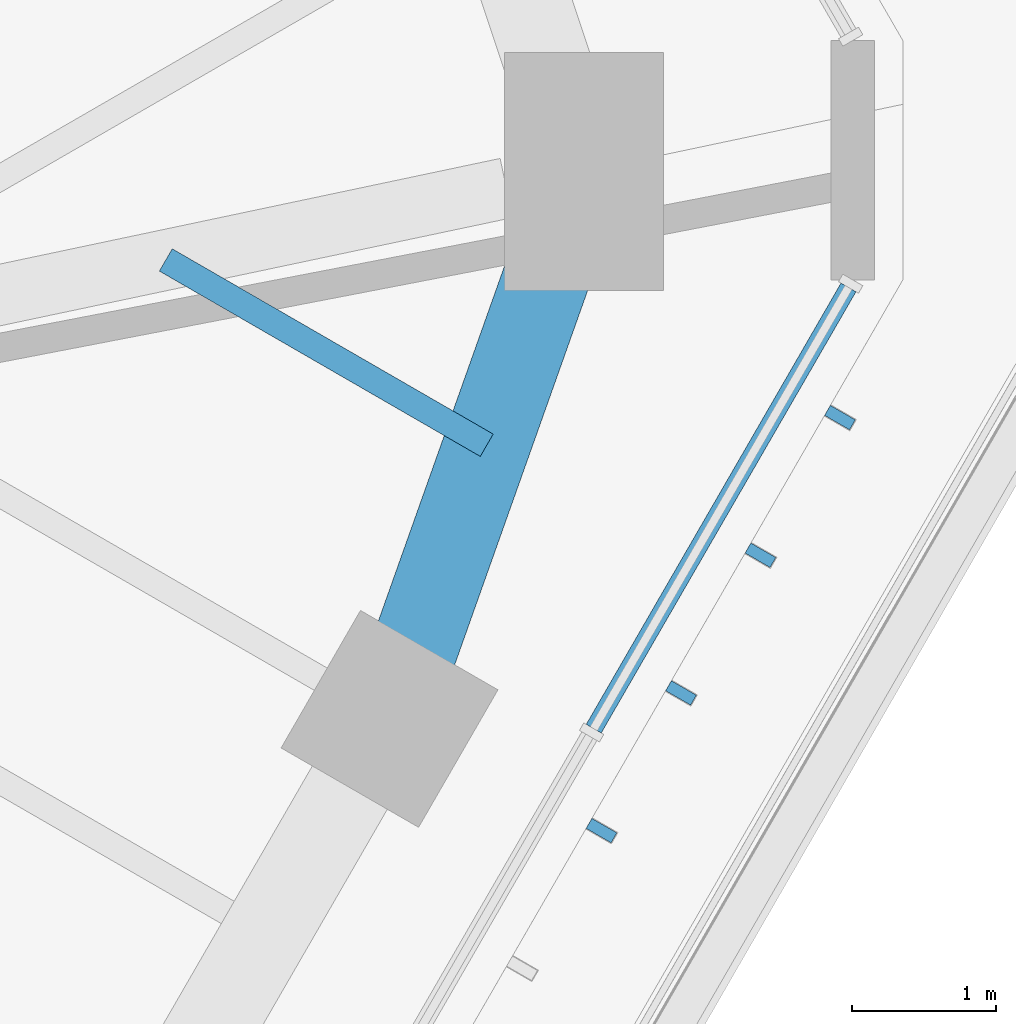
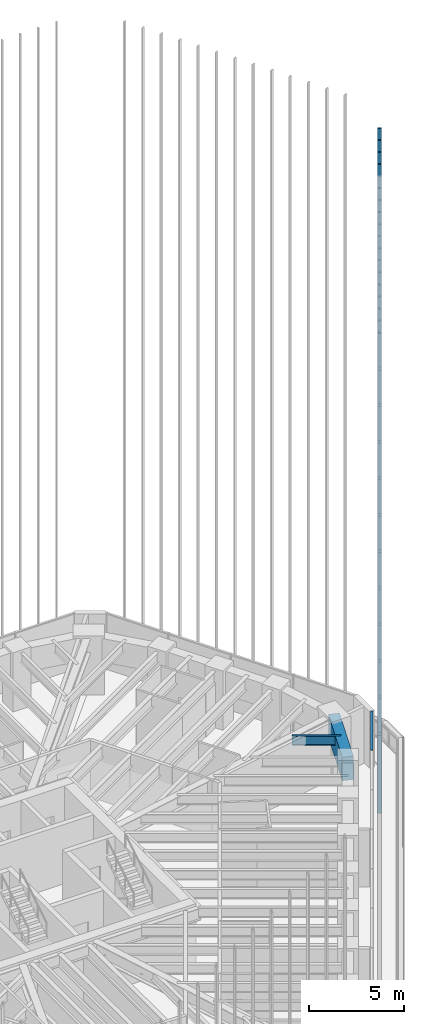
# One storey, part 53 of 127: 5 members, 2 beams, 1 element without a shape of its own.
"""IFC4 building model written with IfcOpenShell, lengths in metres."""

import ifcopenshell
import ifcopenshell.guid

model = None  # the IFC model being written
_history = None  # IfcOwnerHistory: only IFC2X3 demands one
_inside = {}  # id of a spatial element -> (the spatial element, [elements in it])
_under = {}  # id of a project, library or spatial element -> (it, [spatial elements below it])
_declared = {}  # id of a project -> (the project, [libraries it declares])
_typed = {}  # id of a type object -> (the type object, [elements of that type])
_made_of = {}  # id of a material, layer set ... -> (it, [elements and type objects made of it])


def new_model(schema):
    """Start an empty IFC model of exactly this schema.

    Asked for "IFC4X3", IfcOpenShell would pick the latest addendum, in which some entities
    have other attributes; the version numbers below select the first issue.
    IFC2X3 requires an IfcOwnerHistory on every rooted entity: one is made here for all.
    """
    global model, _history
    if schema == "IFC4X3":
        model = ifcopenshell.file(schema_version=(4, 3, 0, 0))
    else:
        model = ifcopenshell.file(schema=schema)
    _inside.clear()
    _under.clear()
    _declared.clear()
    _typed.clear()
    _made_of.clear()
    _history = None
    if model.schema == "IFC2X3":
        org = make("IfcOrganization", Name="unknown")
        user = make(
            "IfcPersonAndOrganization",
            ThePerson=make("IfcPerson", FamilyName="unknown"),
            TheOrganization=org,
        )
        app = make(
            "IfcApplication",
            ApplicationDeveloper=org,
            Version="unknown",
            ApplicationFullName="unknown",
            ApplicationIdentifier="unknown",
        )
        _history = make(
            "IfcOwnerHistory",
            OwningUser=user,
            OwningApplication=app,
            ChangeAction="ADDED",
            CreationDate=0,
        )
    return model


def make(cls, **values):
    """One entity of the class cls with the attributes given. An attribute that is None is left unset."""
    return model.create_entity(
        cls, **{name: value for name, value in values.items() if value is not None}
    )


def rooted(cls, **values):
    """An entity with a GlobalId (a new one), such as an element, a storey or a relation."""
    return make(cls, GlobalId=ifcopenshell.guid.new(), OwnerHistory=_history, **values)


def si_unit(unit_type, name, prefix=None):
    """IfcSIUnit, for example si_unit("LENGTHUNIT", "METRE", prefix="MILLI")."""
    return make("IfcSIUnit", UnitType=unit_type, Prefix=prefix, Name=name)


def assignment(units):
    """IfcUnitAssignment: the units of a project."""
    return None if units is None else make("IfcUnitAssignment", Units=units)


def point(xyz):
    """IfcCartesianPoint."""
    return None if xyz is None else make("IfcCartesianPoint", Coordinates=xyz)


def direction(xyz):
    """IfcDirection."""
    return None if xyz is None else make("IfcDirection", DirectionRatios=xyz)


def frame(location, z_axis=None, x_axis=None):
    """IfcAxis2Placement3D, a coordinate frame: its origin and axes. An axis left out is left unset."""
    return make(
        "IfcAxis2Placement3D",
        Location=point(location),
        Axis=direction(z_axis),
        RefDirection=direction(x_axis),
    )


def frame_2d(location, x_axis=None):
    """IfcAxis2Placement2D, a coordinate frame in the plane: its origin and x axis."""
    return make(
        "IfcAxis2Placement2D", Location=point(location), RefDirection=direction(x_axis)
    )


def origin():
    """The frame at (0, 0, 0) with its axes left unset."""
    return frame((0.0, 0.0, 0.0))


def origin_2d():
    """The frame at (0, 0) in the plane with its x axis left unset."""
    return frame_2d((0.0, 0.0))


def place(relative_to, where):
    """IfcLocalPlacement: puts the frame where relative to a parent placement (None: the world)."""
    return make(
        "IfcLocalPlacement", PlacementRelTo=relative_to, RelativePlacement=where
    )


def context(
    kind, dimensions, precision=None, world=None, true_north=None, identifier=None
):
    """IfcGeometricRepresentationContext, for example the 3D "Model" context."""
    return make(
        "IfcGeometricRepresentationContext",
        ContextIdentifier=identifier,
        ContextType=kind,
        CoordinateSpaceDimension=dimensions,
        Precision=precision,
        WorldCoordinateSystem=world,
        TrueNorth=true_north,
    )


def subcontext(parent, identifier, kind, view, scale=None):
    """IfcGeometricRepresentationSubContext, for example "Body" below "Model"."""
    return make(
        "IfcGeometricRepresentationSubContext",
        ContextIdentifier=identifier,
        ContextType=kind,
        ParentContext=parent,
        TargetScale=scale,
        TargetView=view,
    )


def project(units=None, contexts=None):
    """IfcProject with its units and contexts."""
    return rooted(
        "IfcProject",
        Name="project",
        RepresentationContexts=contexts,
        UnitsInContext=assignment(units),
    )


def spatial(cls, under=None, at=None, **own):
    """A site, building, storey or space (cls), placed at a placement, below another one or the project."""
    s = rooted(cls, ObjectPlacement=at, **own)
    if under is not None:
        _under.setdefault(under.id(), (under, []))[1].append(s)
    return s


def profile(cls, at=None, kind="AREA", **sizes):
    """A parametric profile (cls). Its sizes go by their IFC names, for example OverallWidth=200.0."""
    return make(cls, ProfileType=kind, Position=at, **sizes)


def rectangle(**sizes):
    """IfcRectangleProfileDef."""
    return profile("IfcRectangleProfileDef", **sizes)


def i_section(**sizes):
    """IfcIShapeProfileDef."""
    return profile("IfcIShapeProfileDef", **sizes)


def extrude(swept, where, along, depth):
    """IfcExtrudedAreaSolid: the profile swept, set in the frame where, extruded along a direction by depth."""
    return make(
        "IfcExtrudedAreaSolid",
        SweptArea=swept,
        Position=where,
        ExtrudedDirection=direction(along),
        Depth=depth,
    )


def shape(context_of_items, identifier, shape_type, items):
    """IfcShapeRepresentation: the items that make up one representation, for example the "Body"."""
    return make(
        "IfcShapeRepresentation",
        ContextOfItems=context_of_items,
        RepresentationIdentifier=identifier,
        RepresentationType=shape_type,
        Items=items,
    )


def material(Name=None, Category=None):
    """IfcMaterial."""
    return make("IfcMaterial", Name=Name, Category=Category)


def material_profile(
    of_material, cross_section, Name=None, Category=None, Priority=None
):
    """IfcMaterialProfile: a cross section and its material."""
    return make(
        "IfcMaterialProfile",
        Name=Name,
        Material=of_material,
        Profile=cross_section,
        Priority=Priority,
        Category=Category,
    )


def profile_set(profiles, Name=None, composite=None):
    """IfcMaterialProfileSet."""
    return make(
        "IfcMaterialProfileSet",
        Name=Name,
        MaterialProfiles=profiles,
        CompositeProfile=composite,
    )


def made_of(thing, what):
    """Note that an element or type object is made of a material, layer set ...; save() writes the relation."""
    if what is not None:
        _made_of.setdefault(what.id(), (what, []))[1].append(thing)
    return thing


def type_object(cls, material=None, **own):
    """A type object (cls), such as IfcWallType, which elements share."""
    return made_of(rooted(cls, **own), material)


def element(
    cls,
    number,
    at=None,
    inside=None,
    cuts=None,
    type_object=None,
    material=None,
    context=None,
    identifier="Body",
    shape_type=None,
    held_by="IfcProductDefinitionShape",
    body=None,
    shapes=None,
    **own,
):
    """One element of the class cls, such as IfcWall. Its Tag is "e" and its number.

    at: its placement. inside: the storey or other place that contains it. cuts: it is an
    opening in that element (IfcRelVoidsElement). A single representation is given by context,
    identifier, shape_type and body (its items); several are given by shapes. held_by: the class
    of the entity that holds the representations. save() writes the other relations.
    """
    e = rooted(cls, Tag="e%d" % number, ObjectPlacement=at, **own)
    if body is not None:
        shapes = [shape(context, identifier, shape_type, body)]
    if shapes is not None:
        e.Representation = make(held_by, Representations=shapes)
    if inside is not None:
        _inside.setdefault(inside.id(), (inside, []))[1].append(e)
    if cuts is not None:
        rooted(
            "IfcRelVoidsElement", RelatingBuildingElement=cuts, RelatedOpeningElement=e
        )
    if type_object is not None:
        _typed.setdefault(type_object.id(), (type_object, []))[1].append(e)
    return made_of(e, material)


def aggregate(whole, parts):
    """IfcRelAggregates: a whole, such as a stair, and the parts it consists of."""
    return rooted("IfcRelAggregates", RelatingObject=whole, RelatedObjects=parts)


def save(model, path):
    """Write the relations noted so far, then the file.

    IfcRelAggregates (storeys below a building ...), IfcRelContainedInSpatialStructure (elements
    in a storey), IfcRelDefinesByType, IfcRelAssociatesMaterial and IfcRelDeclares: one each for
    every whole, place, type object, material and project.
    """
    for whole, parts in _under.values():
        aggregate(whole, parts)
    for where, things in _inside.values():
        rooted(
            "IfcRelContainedInSpatialStructure",
            RelatedElements=things,
            RelatingStructure=where,
        )
    for kind, things in _typed.values():
        rooted("IfcRelDefinesByType", RelatedObjects=things, RelatingType=kind)
    for what, things in _made_of.values():
        rooted("IfcRelAssociatesMaterial", RelatedObjects=things, RelatingMaterial=what)
    for by, libraries in _declared.values():
        rooted("IfcRelDeclares", RelatingContext=by, RelatedDefinitions=libraries)
    model.write(path)


model = new_model("IFC4")

# Units and contexts
model_context = context("Model", 3, precision=1e-05, world=origin(), true_north=direction((0.0, 1.0)))
body_context = subcontext(model_context, "Body", "Model", "MODEL_VIEW")
ifc_project = project(units=[si_unit("LENGTHUNIT", "METRE"), si_unit("AREAUNIT", "SQUARE_METRE"), si_unit("VOLUMEUNIT", "CUBIC_METRE"), si_unit("PLANEANGLEUNIT", "RADIAN"), si_unit("MASSUNIT", "GRAM", prefix="KILO")], contexts=[model_context])

# Site, building, storey
site_placement = place(None, origin())
site = spatial("IfcSite", under=ifc_project, at=site_placement, CompositionType="ELEMENT")
building_placement = place(site_placement, origin())
building = spatial("IfcBuilding", under=site, at=building_placement, Name="Sandreach Pilgrim Tower", CompositionType="ELEMENT")
storey_placement = place(building_placement, frame((0.0, 0.0, 257.0)))
storey = spatial("IfcBuildingStorey", under=building, at=storey_placement, Name="L64", CompositionType="ELEMENT", Elevation=257.0)

# Curtain wall, member
ifc_material_1 = material(Name="Aluminium framed curtain wall", Category="aluminium")
curtain_wall_type = type_object("IfcCurtainWallType", Name="Suite tower curtain wall", PredefinedType="NOTDEFINED", material=ifc_material_1)
curtain_wall_placement = place(storey_placement, origin())
curtain_wall = element("IfcCurtainWall", 1, at=curtain_wall_placement, inside=storey, type_object=curtain_wall_type, Name="CW-4 L64 SE", PredefinedType="NOTDEFINED")
ifc_material_2 = material(Name="Aluminium extrusion", Category="aluminium")
ifc_material_profile_1 = material_profile(ifc_material_2, rectangle(XDim=0.1201171875, YDim=0.070068359375, at=origin_2d()), Name="CW-4T 120X70")
ifc_profile_set_1 = profile_set([ifc_material_profile_1], Name="Aluminium extrusion")
member_type_1 = type_object("IfcMemberType", Name="CW-4 transom", PredefinedType="USERDEFINED", material=ifc_profile_set_1)
member_1_placement = place(storey_placement, frame((25.289306640625, 4.149658203125, 3.60498046875), z_axis=(-0.499997709859, -0.866026725994, 0.0), x_axis=(0.866026725994, -0.499997709859, 0.0)))
member_1 = element("IfcMember", 2, at=member_1_placement, type_object=member_type_1, Name="CW-4 head transom 1", ObjectType="TRANSOM", PredefinedType="USERDEFINED", context=body_context, shape_type="SweptSolid", body=[
    extrude(rectangle(XDim=0.1201171875, YDim=0.070068359375, at=origin_2d()), origin(), (0.0, 0.0, 1.0), 3.53173828125),
])

# Beams
ifc_material_3 = material(Name="Steel ASTM A992 Grade 50", Category="steel")
ifc_material_profile_2 = material_profile(ifc_material_3, i_section(OverallWidth=0.1787109375, OverallDepth=0.60205078125, WebThickness=0.010986328125, FlangeThickness=0.014892578125, at=origin_2d()), Name="W24X62")
ifc_profile_set_2 = profile_set([ifc_material_profile_2], Name="Steel ASTM A992 Grade 50")
beam_type_1 = type_object("IfcBeamType", Name="Floor beam W24X62", PredefinedType="BEAM", material=ifc_profile_set_2)
beam_1_placement = place(storey_placement, frame((22.78173828125, 3.0556640625, 3.339111328125), z_axis=(-0.8660004255, 0.500043261163, 0.0), x_axis=(-0.500043261163, -0.8660004255, 0.0)))
element("IfcBeam", 3, at=beam_1_placement, inside=storey, type_object=beam_type_1, Name="BM L64 FM13", PredefinedType="BEAM", context=body_context, shape_type="SweptSolid", body=[
    extrude(i_section(OverallWidth=0.1787109375, OverallDepth=0.60205078125, WebThickness=0.010986328125, FlangeThickness=0.014892578125, at=origin_2d()), origin(), (0.0, 0.0, 1.0), 2.569091796875),
])
ifc_material_4 = material(Name="Concrete 10000 psi", Category="concrete")
ifc_material_profile_3 = material_profile(ifc_material_4, rectangle(XDim=0.60009765625, YDim=1.5, at=origin_2d()), Name="RC600X1500")
ifc_profile_set_3 = profile_set([ifc_material_profile_3], Name="Concrete 10000 psi")
beam_type_2 = type_object("IfcBeamType", Name="Spandrel beam RC600X1500", PredefinedType="SPANDREL", material=ifc_profile_set_3)
beam_2_placement = place(storey_placement, frame((23.455810546875, 4.952392578125, 2.889892578125), z_axis=(-0.33481464839, -0.94228400773, 0.0), x_axis=(0.94228400773, -0.33481464839, 0.0)))
element("IfcBeam", 4, at=beam_2_placement, inside=storey, type_object=beam_type_2, Name="BM L64 SP13", PredefinedType="SPANDREL", context=body_context, shape_type="SweptSolid", body=[
    extrude(rectangle(XDim=0.60009765625, YDim=1.5, at=origin_2d()), origin(), (0.0, 0.0, 1.0), 4.02587890625),
])

# Member
ifc_material_5 = material(Name="Extruded terracotta on aluminium core", Category="masonry")
ifc_material_profile_4 = material_profile(ifc_material_5, rectangle(XDim=0.080078125, YDim=0.199951171875, at=origin_2d()), Name="TBE 80X200")
ifc_profile_set_4 = profile_set([ifc_material_profile_4], Name="Extruded terracotta on aluminium core")
member_type_2 = type_object("IfcMemberType", Name="Terracotta baguette east", PredefinedType="USERDEFINED", material=ifc_profile_set_4)
member_2_placement = place(storey_placement, frame((25.230224609375, 3.247314453125, 0.0), z_axis=(0.0, 0.0, 1.0), x_axis=(-0.5, -0.866025403784, 0.0)))
member_2 = element("IfcMember", 5, at=member_2_placement, type_object=member_type_2, Name="Baguette Z4 SE01", ObjectType="BAGUETTE", PredefinedType="USERDEFINED", context=body_context, shape_type="SweptSolid", body=[
    extrude(rectangle(XDim=0.080078125, YDim=0.199951171875, at=origin_2d()), origin(), (0.0, 0.0, 1.0), 41.639892578125),
])

member_3_placement = place(storey_placement, frame((24.67919921875, 2.29296875, 0.0), z_axis=(0.0, 0.0, 1.0), x_axis=(-0.5, -0.866025403784, 0.0)))
member_3 = element("IfcMember", 6, at=member_3_placement, type_object=member_type_2, Name="Baguette Z4 SE02", ObjectType="BAGUETTE", PredefinedType="USERDEFINED", context=body_context, shape_type="SweptSolid", body=[
    extrude(rectangle(XDim=0.080078125, YDim=0.199951171875, at=origin_2d()), origin(), (0.0, 0.0, 1.0), 41.639892578125),
])

member_4_placement = place(storey_placement, frame((24.12841796875, 1.338623046875, 0.0), z_axis=(0.0, 0.0, 1.0), x_axis=(-0.5, -0.866025403784, 0.0)))
member_4 = element("IfcMember", 7, at=member_4_placement, type_object=member_type_2, Name="Baguette Z4 SE03", ObjectType="BAGUETTE", PredefinedType="USERDEFINED", context=body_context, shape_type="SweptSolid", body=[
    extrude(rectangle(XDim=0.080078125, YDim=0.199951171875, at=origin_2d()), origin(), (0.0, 0.0, 1.0), 41.639892578125),
])

member_5_placement = place(storey_placement, frame((23.577392578125, 0.38427734375, 0.0), z_axis=(0.0, 0.0, 1.0), x_axis=(-0.5, -0.866025403784, 0.0)))
member_5 = element("IfcMember", 8, at=member_5_placement, type_object=member_type_2, Name="Baguette Z4 SE04", ObjectType="BAGUETTE", PredefinedType="USERDEFINED", context=body_context, shape_type="SweptSolid", body=[
    extrude(rectangle(XDim=0.080078125, YDim=0.199951171875, at=origin_2d()), origin(), (0.0, 0.0, 1.0), 41.639892578125),
])

aggregate(curtain_wall, [member_1, member_2, member_3, member_4, member_5])

save(model, "model.ifc")
